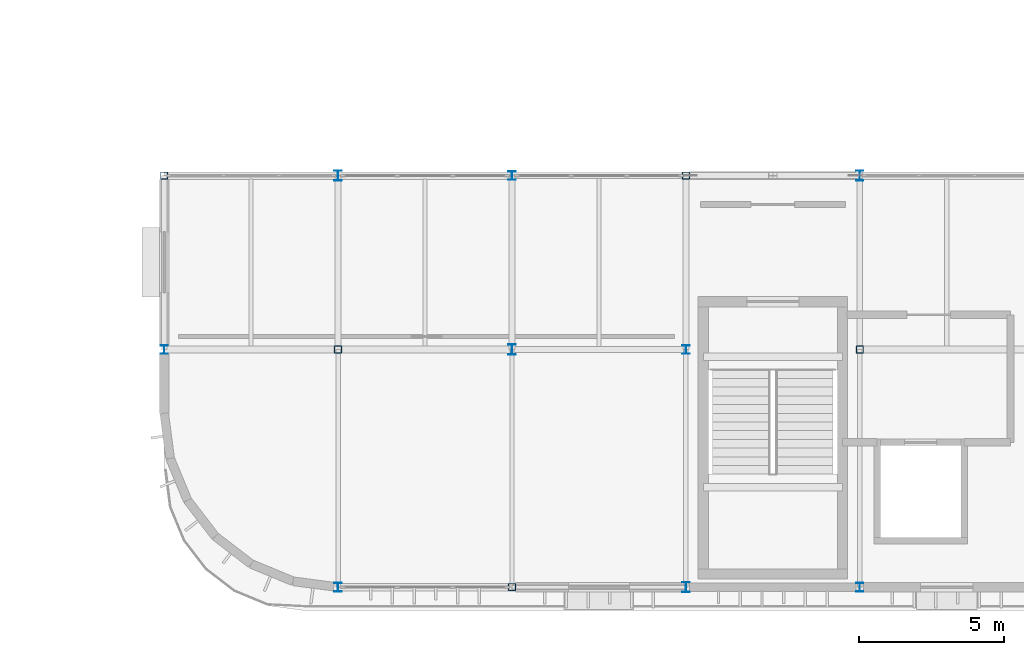
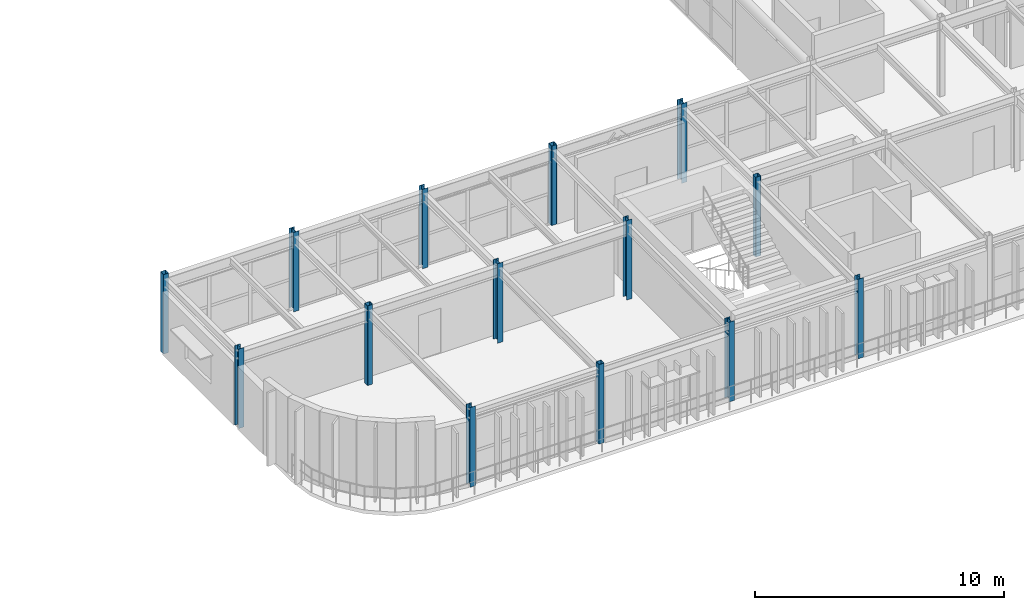
# One storey, part 5 of 63: 14 columns.
"""IFC4 building model written with IfcOpenShell, lengths in metres."""

from ifc_helpers import new_model, si_unit, direction, frame, origin, origin_2d, place, context, subcontext, project, spatial, hollow_rectangle, i_section, extrude, material, material_profile, profile_set, type_object, element, save


model = new_model("IFC4")

# Units and contexts
model_context = context("Model", 3, precision=1e-05, world=origin(), true_north=direction((0.0, 1.0)))
body_context = subcontext(model_context, "Body", "Model", "MODEL_VIEW")
ifc_project = project(units=[si_unit("LENGTHUNIT", "METRE"), si_unit("AREAUNIT", "SQUARE_METRE"), si_unit("VOLUMEUNIT", "CUBIC_METRE"), si_unit("PLANEANGLEUNIT", "RADIAN"), si_unit("MASSUNIT", "GRAM", prefix="KILO")], contexts=[model_context])

# Site, building, storey
site_placement = place(None, origin())
site = spatial("IfcSite", under=ifc_project, at=site_placement, CompositionType="ELEMENT")
building_placement = place(site_placement, origin())
building = spatial("IfcBuilding", under=site, at=building_placement, Name="Varnakota Square Police Headquarters", CompositionType="ELEMENT")
storey_placement = place(building_placement, frame((0.0, 0.0, 22.199951171875)))
storey = spatial("IfcBuildingStorey", under=building, at=storey_placement, Name="L05", CompositionType="ELEMENT", Elevation=22.199951171875)

# Columns
ifc_material = material(Name="Steel IS 2062 Grade 350", Category="steel")
ifc_material_profile_1 = material_profile(ifc_material, i_section(OverallWidth=0.25, OverallDepth=0.300048828125, WebThickness=0.009521484375, FlangeThickness=0.010498046875, FilletRadius=0.011962890625, at=origin_2d()), Name="ISHB 300")
ifc_profile_set_1 = profile_set([ifc_material_profile_1], Name="Steel IS 2062 Grade 350")
column_type_1 = type_object("IfcColumnType", Name="COL-ISHB300", PredefinedType="COLUMN", material=ifc_profile_set_1)
for number, where, z_axis, x_axis, name in (
    (1, (108.0, 9.0, 0.0), (0.0, 0.0, 1.0), (1.0, 0.0, 0.0), "Column X1080-Y0090 L05"),
    (2, (114.0, 0.800048828125, 0.0), (0.0, 0.0, 1.0), (1.0, 0.0, 0.0), "Column X1140-Y0008 L05"),
    (3, (120.0, 15.0, 0.0), (0.0, 0.0, 1.0), (1.0, 0.0, 0.0), "Column X1200-Y0150 L05"),
    (4, (126.0, 9.0, 0.0), (0.0, 0.0, 1.0), (1.0, 0.0, 0.0), "Column X1260-Y0090 L05"),
    (5, (132.0, 0.800048828125, 0.0), (0.0, 0.0, 1.0), (1.0, 0.0, 0.0), "Column X1320-Y0008 L05"),
):
    element("IfcColumn", number, at=place(storey_placement, frame(where, z_axis=z_axis, x_axis=x_axis)), inside=storey, type_object=column_type_1, Name=name, PredefinedType="COLUMN", context=body_context, shape_type="SweptSolid", body=[
        extrude(i_section(OverallWidth=0.25, OverallDepth=0.300048828125, WebThickness=0.009521484375, FlangeThickness=0.010498046875, FilletRadius=0.011962890625, at=origin_2d()), origin(), (0.0, 0.0, 1.0), 3.900146484375),
    ])
ifc_material_profile_2 = material_profile(ifc_material, i_section(OverallWidth=0.25, OverallDepth=0.35009765625, WebThickness=0.010009765625, FlangeThickness=0.01171875, FilletRadius=0.011962890625, at=origin_2d()), Name="ISHB 350")
ifc_profile_set_2 = profile_set([ifc_material_profile_2], Name="Steel IS 2062 Grade 350")
column_type_2 = type_object("IfcColumnType", Name="COL-ISHB350", PredefinedType="COLUMN", material=ifc_profile_set_2)
for number, where, z_axis, x_axis, name in (
    (6, (114.0, 15.0, 0.0), (0.0, 0.0, 1.0), (1.0, 0.0, 0.0), "Column X1140-Y0150 L05"),
    (7, (120.0, 9.0, 0.0), (0.0, 0.0, 1.0), (1.0, 0.0, 0.0), "Column X1200-Y0090 L05"),
    (8, (126.0, 0.800048828125, 0.0), (0.0, 0.0, 1.0), (1.0, 0.0, 0.0), "Column X1260-Y0008 L05"),
    (9, (132.0, 15.0, 0.0), (0.0, 0.0, 1.0), (1.0, 0.0, 0.0), "Column X1320-Y0150 L05"),
):
    element("IfcColumn", number, at=place(storey_placement, frame(where, z_axis=z_axis, x_axis=x_axis)), inside=storey, type_object=column_type_2, Name=name, PredefinedType="COLUMN", context=body_context, shape_type="SweptSolid", body=[
        extrude(i_section(OverallWidth=0.25, OverallDepth=0.35009765625, WebThickness=0.010009765625, FlangeThickness=0.01171875, FilletRadius=0.011962890625, at=origin_2d()), origin(), (0.0, 0.0, 1.0), 3.900146484375),
    ])
ifc_material_profile_3 = material_profile(ifc_material, hollow_rectangle(XDim=0.25, YDim=0.25, WallThickness=0.011962890625, InnerFilletRadius=0.011962890625, OuterFilletRadius=0.02392578125, at=origin_2d()), Name="SHS 250x250x12")
ifc_profile_set_3 = profile_set([ifc_material_profile_3], Name="Steel IS 2062 Grade 350")
column_type_3 = type_object("IfcColumnType", Name="COL-SHS250", PredefinedType="COLUMN", material=ifc_profile_set_3)
for number, where, z_axis, x_axis, name in (
    (10, (108.0, 15.0, 0.0), (0.0, 0.0, 1.0), (1.0, 0.0, 0.0), "Column X1080-Y0150 L05"),
    (11, (114.0, 9.0, 0.0), (0.0, 0.0, 1.0), (1.0, 0.0, 0.0), "Column X1140-Y0090 L05"),
    (12, (120.0, 0.800048828125, 0.0), (0.0, 0.0, 1.0), (1.0, 0.0, 0.0), "Column X1200-Y0008 L05"),
    (13, (126.0, 15.0, 0.0), (0.0, 0.0, 1.0), (1.0, 0.0, 0.0), "Column X1260-Y0150 L05"),
    (14, (132.0, 9.0, 0.0), (0.0, 0.0, 1.0), (1.0, 0.0, 0.0), "Column X1320-Y0090 L05"),
):
    element("IfcColumn", number, at=place(storey_placement, frame(where, z_axis=z_axis, x_axis=x_axis)), inside=storey, type_object=column_type_3, Name=name, PredefinedType="COLUMN", context=body_context, shape_type="SweptSolid", body=[
        extrude(hollow_rectangle(XDim=0.25, YDim=0.25, WallThickness=0.011962890625, InnerFilletRadius=0.011962890625, OuterFilletRadius=0.02392578125, at=origin_2d()), origin(), (0.0, 0.0, 1.0), 3.900146484375),
    ])

save(model, "model.ifc")
